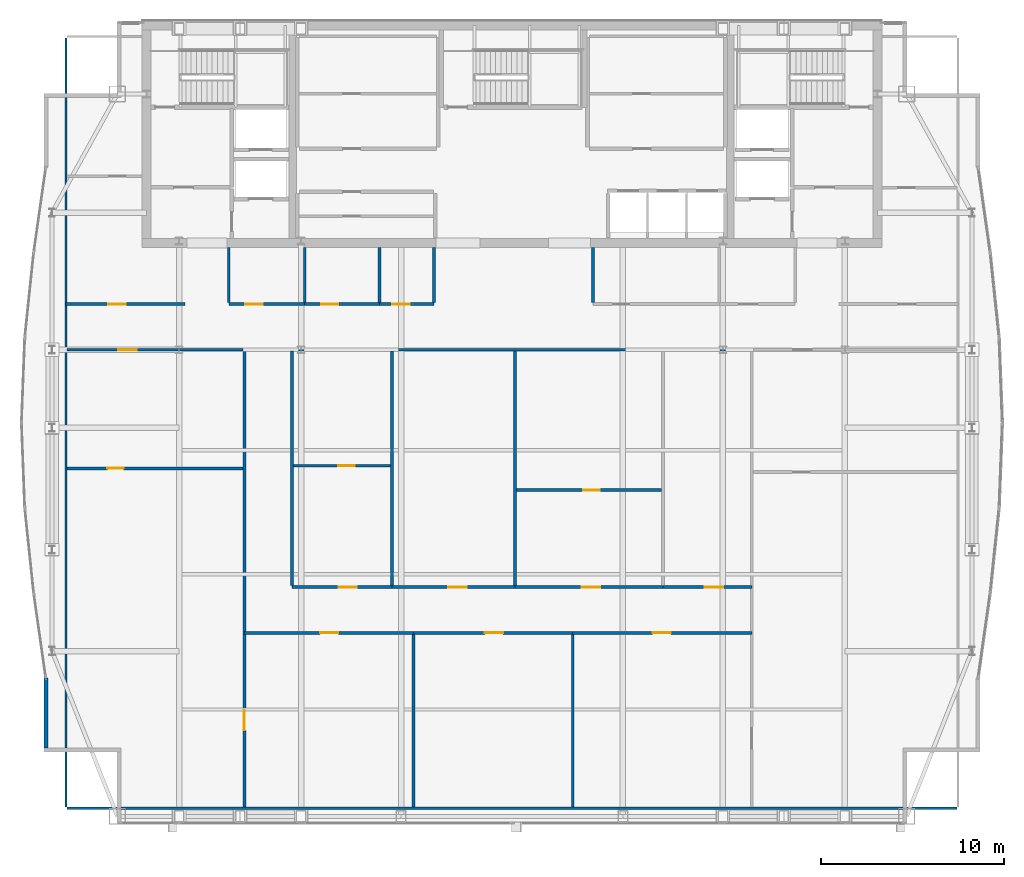
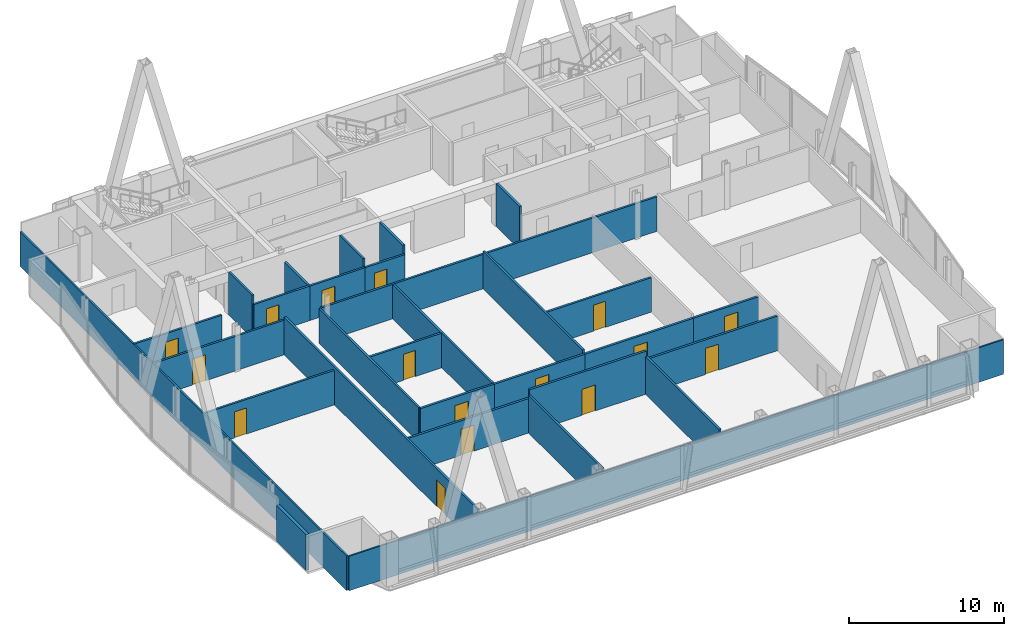
# One storey, part 24 of 29: 30 walls, 16 doors, 16 openings.
"""IFC4 building model written with IfcOpenShell, lengths in metres."""

from ifc_helpers import new_model, si_unit, direction, frame, frame_2d, origin, place, context, subcontext, project, spatial, rectangle, extrude, material, layer, layer_set, type_object, element, fill, save


model = new_model("IFC4")

# Units and contexts
model_context = context("Model", 3, precision=1e-05, world=origin(), true_north=direction((0.0, 1.0)))
body_context = subcontext(model_context, "Body", "Model", "MODEL_VIEW")
ifc_project = project(units=[si_unit("LENGTHUNIT", "METRE"), si_unit("AREAUNIT", "SQUARE_METRE"), si_unit("VOLUMEUNIT", "CUBIC_METRE"), si_unit("PLANEANGLEUNIT", "RADIAN"), si_unit("MASSUNIT", "GRAM", prefix="KILO")], contexts=[model_context])

# Site, building, storey
site_placement = place(None, origin())
site = spatial("IfcSite", under=ifc_project, at=site_placement, CompositionType="ELEMENT")
building_placement = place(site_placement, origin())
building = spatial("IfcBuilding", under=site, at=building_placement, Name="Khoronbel Lancet Exchange", CompositionType="ELEMENT")
storey_placement = place(building_placement, frame((0.0, 0.0, 302.199951171875)))
storey = spatial("IfcBuildingStorey", under=building, at=storey_placement, Name="L78", CompositionType="ELEMENT", Elevation=302.199951171875)

# Walls
ifc_material_1 = material(Name="Precast concrete C40/50", Category="concrete")
ifc_layer_1 = layer(ifc_material_1, 0.25, Name="Precast concrete C40/50")
ifc_layer_set_1 = layer_set([ifc_layer_1], Name="Precast concrete C40/50")
wall_type_1 = type_object("IfcWallType", Name="WL-EXT250", PredefinedType="SOLIDWALL", material=ifc_layer_set_1)
wall_1_placement = place(storey_placement, frame((10.93994140625, 13.89990234375, 0.0), z_axis=(0.0, 0.0, 1.0), x_axis=(0.0, 1.0, 0.0)))
element("IfcWall", 1, at=wall_1_placement, inside=storey, type_object=wall_type_1, Name="Level L78 notched-corner limestone pier 03", PredefinedType="SOLIDWALL", context=body_context, shape_type="SweptSolid", body=[
    extrude(rectangle(XDim=3.826416015625, YDim=0.219970703125, at=frame_2d((1.9130859375, 0.0))), origin(), (0.0, 0.0, 1.0), 2.820068359375),
])
ifc_material_2 = material(Name="Acoustic Metal-Stud & Mineral-Wool Gypsum Partition 120 mm", Category="gypsum")
ifc_layer_2 = layer(ifc_material_2, 0.1201171875, Name="Acoustic Metal-Stud & Mineral-Wool Gypsum Partition 120 mm")
ifc_layer_set_2 = layer_set([ifc_layer_2], Name="Acoustic Metal-Stud & Mineral-Wool Gypsum Partition 120 mm")
wall_type_2 = type_object("IfcWallType", Name="WL-PRT120", PredefinedType="PARTITIONING", material=ifc_layer_set_2)
wall_2_placement = place(storey_placement, frame((20.949951171875, 38.280029296875, 0.0), z_axis=(0.0, 0.0, 1.0), x_axis=(0.0, 1.0, 0.0)))
element("IfcWall", 2, at=wall_2_placement, inside=storey, type_object=wall_type_2, Name="Level L78 interior partition PW-WC-0", PredefinedType="PARTITIONING", context=body_context, shape_type="SweptSolid", body=[
    extrude(rectangle(XDim=3.02001953125, YDim=0.14990234375, at=frame_2d((1.510009765625, 0.0))), origin(), (0.0, 0.0, 1.0), 3.380126953125),
])
wall_3_placement = place(storey_placement, frame((25.10009765625, 38.280029296875, 0.0), z_axis=(0.0, 0.0, 1.0), x_axis=(0.0, 1.0, 0.0)))
element("IfcWall", 3, at=wall_3_placement, inside=storey, type_object=wall_type_2, Name="Level L78 interior partition PW-WC-1", PredefinedType="PARTITIONING", context=body_context, shape_type="SweptSolid", body=[
    extrude(rectangle(XDim=3.02001953125, YDim=0.14990234375, at=frame_2d((1.510009765625, 0.0))), origin(), (0.0, 0.0, 1.0), 2.719970703125),
])
for number, where, z_axis, x_axis, name in (
    (4, (29.199951171875, 38.280029296875, 0.0), (0.0, 0.0, 1.0), (0.0, 1.0, 0.0), "Level L78 interior partition PW-WC-2"),
    (5, (32.179931640625, 38.280029296875, 0.0), (0.0, 0.0, 1.0), (0.0, 1.0, 0.0), "Level L78 interior partition PW-WC-3"),
    (6, (40.8798828125, 38.280029296875, 0.0), (0.0, 0.0, 1.0), (0.0, 1.0, 0.0), "Level L78 interior partition PW-NP-0"),
):
    element("IfcWall", number, at=place(storey_placement, frame(where, z_axis=z_axis, x_axis=x_axis)), inside=storey, type_object=wall_type_2, Name=name, PredefinedType="PARTITIONING", context=body_context, shape_type="SweptSolid", body=[
        extrude(rectangle(XDim=3.02001953125, YDim=0.14990234375, at=frame_2d((1.510009765625, 0.0))), origin(), (0.0, 0.0, 1.0), 3.380126953125),
    ])

# Wall, opening, door
wall_4_placement = place(storey_placement, frame((12.094970703125, 29.199951171875, 0.0), z_axis=(0.0, 0.0, 1.0), x_axis=(1.0, 0.0, 0.0)))
wall_4 = element("IfcWall", 7, at=wall_4_placement, inside=storey, type_object=wall_type_2, Name="Level L78 interior partition PW-Z4-WH", PredefinedType="PARTITIONING", context=body_context, shape_type="SweptSolid", body=[
    extrude(rectangle(XDim=9.625, YDim=0.14990234375, at=frame_2d((4.8125, 0.0))), origin(), (0.0, 0.0, 1.0), 2.719970703125),
])
opening_1_placement = place(wall_4_placement, frame((2.199951171875, 0.0, 0.0)))
opening_1 = element("IfcOpeningElement", 8, at=opening_1_placement, cuts=wall_4, Name="Opening D5", PredefinedType="OPENING", context=body_context, shape_type="SweptSolid", body=[
    extrude(rectangle(XDim=0.89990234375, YDim=2.050048828125, at=frame_2d((0.449951171875, 1.02490234375))), frame((0.0, 0.0849609375, 0.0), z_axis=(0.0, -1.0, 0.0), x_axis=(1.0, 0.0, 0.0)), (0.0, 0.0, 1.0), 0.169921875),
])
ifc_material_3 = material(Name="Acoustic Timber Pantry & Support Door", Category="wood")
door_type_1 = type_object("IfcDoorType", Name="DR-D5", OperationType="NOTDEFINED", PredefinedType="DOOR", material=ifc_material_3)
door_1_placement = place(opening_1_placement, origin())
door_1 = element("IfcDoor", 9, at=door_1_placement, inside=storey, type_object=door_type_1, Name="West lens inner door L78-1", OperationType="SINGLE_SWING_LEFT", OverallHeight=2.050048828125, OverallWidth=0.89990234375, PredefinedType="DOOR", context=body_context, shape_type="SweptSolid", body=[
    extrude(rectangle(XDim=0.89990234375, YDim=2.050048828125, at=frame_2d((0.449951171875, 1.02490234375))), frame((0.0, 0.02490234375, 0.0), z_axis=(0.0, -1.0, 0.0), x_axis=(1.0, 0.0, 0.0)), (0.0, 0.0, 1.0), 0.050048828125),
])
fill(opening_1, door_1)

wall_5_placement = place(storey_placement, frame((24.47998046875, 29.352783203125, 0.0), z_axis=(0.0, 0.0, 1.0), x_axis=(1.0, 0.0, 0.0)))
wall_5 = element("IfcWall", 10, at=wall_5_placement, inside=storey, type_object=wall_type_2, Name="Level L78 interior partition PW-Z4C-H1", PredefinedType="PARTITIONING", context=body_context, shape_type="SweptSolid", body=[
    extrude(rectangle(XDim=5.324951171875, YDim=0.14990234375, at=frame_2d((2.66259765625, 0.0))), origin(), (0.0, 0.0, 1.0), 2.719970703125),
])
opening_2_placement = place(wall_5_placement, frame((2.46826171875, 0.0, 0.0)))
opening_2 = element("IfcOpeningElement", 11, at=opening_2_placement, cuts=wall_5, Name="Opening D5", PredefinedType="OPENING", context=body_context, shape_type="SweptSolid", body=[
    extrude(rectangle(XDim=0.89990234375, YDim=2.050048828125, at=frame_2d((0.449951171875, 1.02490234375))), frame((0.0, 0.0849609375, 0.0), z_axis=(0.0, -1.0, 0.0), x_axis=(1.0, 0.0, 0.0)), (0.0, 0.0, 1.0), 0.169921875),
])
door_2_placement = place(opening_2_placement, origin())
door_2 = element("IfcDoor", 12, at=door_2_placement, inside=storey, type_object=door_type_1, Name="Z4C inner door 1 L78-1", OperationType="SINGLE_SWING_RIGHT", OverallHeight=2.050048828125, OverallWidth=0.89990234375, PredefinedType="DOOR", context=body_context, shape_type="SweptSolid", body=[
    extrude(rectangle(XDim=0.89990234375, YDim=2.050048828125, at=frame_2d((0.449951171875, 1.02490234375))), frame((0.0, 0.02490234375, 0.0), z_axis=(0.0, -1.0, 0.0), x_axis=(1.0, 0.0, 0.0)), (0.0, 0.0, 1.0), 0.050048828125),
])
fill(opening_2, door_2)

wall_6_placement = place(storey_placement, frame((36.69873046875, 28.01416015625, 0.0), z_axis=(0.0, 0.0, 1.0), x_axis=(1.0, 0.0, 0.0)))
wall_6 = element("IfcWall", 13, at=wall_6_placement, inside=storey, type_object=wall_type_2, Name="Level L78 interior partition PW-Z4C-H3", PredefinedType="PARTITIONING", context=body_context, shape_type="SweptSolid", body=[
    extrude(rectangle(XDim=7.940673828125, YDim=0.14990234375, at=frame_2d((3.97021484375, 0.0))), origin(), (0.0, 0.0, 1.0), 2.719970703125),
])
opening_3_placement = place(wall_6_placement, frame((3.6455078125, 0.0, 0.0)))
opening_3 = element("IfcOpeningElement", 14, at=opening_3_placement, cuts=wall_6, Name="Opening D5", PredefinedType="OPENING", context=body_context, shape_type="SweptSolid", body=[
    extrude(rectangle(XDim=0.89990234375, YDim=2.050048828125, at=frame_2d((0.449951171875, 1.02490234375))), frame((0.0, 0.0849609375, 0.0), z_axis=(0.0, -1.0, 0.0), x_axis=(1.0, 0.0, 0.0)), (0.0, 0.0, 1.0), 0.169921875),
])
door_3_placement = place(opening_3_placement, origin())
door_3 = element("IfcDoor", 15, at=door_3_placement, inside=storey, type_object=door_type_1, Name="Z4C inner door 3 L78-1", OperationType="SINGLE_SWING_LEFT", OverallHeight=2.050048828125, OverallWidth=0.89990234375, PredefinedType="DOOR", context=body_context, shape_type="SweptSolid", body=[
    extrude(rectangle(XDim=0.89990234375, YDim=2.050048828125, at=frame_2d((0.449951171875, 1.02490234375))), frame((0.0, 0.02490234375, 0.0), z_axis=(0.0, -1.0, 0.0), x_axis=(1.0, 0.0, 0.0)), (0.0, 0.0, 1.0), 0.050048828125),
])
fill(opening_3, door_3)

# Walls
wall_7_placement = place(storey_placement, frame((12.030029296875, 10.6650390625, 0.0), z_axis=(0.0, 0.0, 1.0), x_axis=(0.0, 1.0, 0.0)))
element("IfcWall", 16, at=wall_7_placement, inside=storey, type_object=wall_type_2, Name="Level L78 interior partition PW-LIN-W", PredefinedType="PARTITIONING", context=body_context, shape_type="SweptSolid", body=[
    extrude(rectangle(XDim=42.10986328125, YDim=0.1201171875, at=frame_2d((21.054931640625, 0.0))), origin(), (0.0, 0.0, 1.0), 2.719970703125),
])
wall_8_placement = place(storey_placement, frame((12.094970703125, 10.60009765625, 0.0), z_axis=(0.0, 0.0, 1.0), x_axis=(1.0, 0.0, 0.0)))
element("IfcWall", 17, at=wall_8_placement, inside=storey, type_object=wall_type_2, Name="Level L78 interior partition PW-LIN-S", PredefinedType="PARTITIONING", context=body_context, shape_type="SweptSolid", body=[
    extrude(rectangle(XDim=48.7099609375, YDim=0.1201171875, at=frame_2d((24.35498046875, 0.0))), origin(), (0.0, 0.0, 1.0), 2.719970703125),
])

# Wall, opening, door
ifc_material_4 = material(Name="Fire-Rated Twin-Stud Acoustic Gypsum Partition 150 mm", Category="gypsum")
ifc_layer_3 = layer(ifc_material_4, 0.14990234375, Name="Fire-Rated Twin-Stud Acoustic Gypsum Partition 150 mm")
ifc_layer_set_3 = layer_set([ifc_layer_3], Name="Fire-Rated Twin-Stud Acoustic Gypsum Partition 150 mm")
wall_type_3 = type_object("IfcWallType", Name="WL-PRT150C", PredefinedType="PARTITIONING", material=ifc_layer_set_3)
wall_9_placement = place(storey_placement, frame((20.949951171875, 38.199951171875, 0.0), z_axis=(0.0, 0.0, 1.0), x_axis=(1.0, 0.0, 0.0)))
wall_9 = element("IfcWall", 18, at=wall_9_placement, inside=storey, type_object=wall_type_3, Name="Level L78 interior partition PW-WC-S1", PredefinedType="PARTITIONING", context=body_context, shape_type="SweptSolid", body=[
    extrude(rectangle(XDim=4.150146484375, YDim=0.14990234375, at=frame_2d((2.0751953125, 0.0))), origin(), (0.0, 0.0, 1.0), 2.719970703125),
])
opening_4_placement = place(wall_9_placement, frame((0.89990234375, 0.0, 0.0)))
opening_4 = element("IfcOpeningElement", 19, at=opening_4_placement, cuts=wall_9, Name="Opening D4", PredefinedType="OPENING", context=body_context, shape_type="SweptSolid", body=[
    extrude(rectangle(XDim=0.949951171875, YDim=2.050048828125, at=frame_2d((0.47509765625, 1.02490234375))), frame((0.0, 0.0849609375, 0.0), z_axis=(0.0, -1.0, 0.0), x_axis=(1.0, 0.0, 0.0)), (0.0, 0.0, 1.0), 0.169921875),
])
ifc_material_5 = material(Name="Moisture-Resistant HPL Washroom Door", Category="wood")
door_type_2 = type_object("IfcDoorType", Name="DR-D4", OperationType="NOTDEFINED", PredefinedType="DOOR", material=ifc_material_5)
door_4_placement = place(opening_4_placement, origin())
door_4 = element("IfcDoor", 20, at=door_4_placement, inside=storey, type_object=door_type_2, Name="Male washroom door L78-1", OperationType="SINGLE_SWING_RIGHT", OverallHeight=2.050048828125, OverallWidth=0.949951171875, PredefinedType="DOOR", context=body_context, shape_type="SweptSolid", body=[
    extrude(rectangle(XDim=0.949951171875, YDim=2.050048828125, at=frame_2d((0.47509765625, 1.02490234375))), frame((0.0, 0.02490234375, 0.0), z_axis=(0.0, -1.0, 0.0), x_axis=(1.0, 0.0, 0.0)), (0.0, 0.0, 1.0), 0.050048828125),
])
fill(opening_4, door_4)

wall_10_placement = place(storey_placement, frame((25.10009765625, 38.199951171875, 0.0), z_axis=(0.0, 0.0, 1.0), x_axis=(1.0, 0.0, 0.0)))
wall_10 = element("IfcWall", 21, at=wall_10_placement, inside=storey, type_object=wall_type_3, Name="Level L78 interior partition PW-WC-S2", PredefinedType="PARTITIONING", context=body_context, shape_type="SweptSolid", body=[
    extrude(rectangle(XDim=4.099853515625, YDim=0.14990234375, at=frame_2d((2.0498046875, 0.0))), origin(), (0.0, 0.0, 1.0), 2.719970703125),
])
opening_5_placement = place(wall_10_placement, frame((0.89990234375, 0.0, 0.0)))
opening_5 = element("IfcOpeningElement", 22, at=opening_5_placement, cuts=wall_10, Name="Opening D4", PredefinedType="OPENING", context=body_context, shape_type="SweptSolid", body=[
    extrude(rectangle(XDim=0.949951171875, YDim=2.050048828125, at=frame_2d((0.47509765625, 1.02490234375))), frame((0.0, 0.0849609375, 0.0), z_axis=(0.0, -1.0, 0.0), x_axis=(1.0, 0.0, 0.0)), (0.0, 0.0, 1.0), 0.169921875),
])
door_5_placement = place(opening_5_placement, origin())
door_5 = element("IfcDoor", 23, at=door_5_placement, inside=storey, type_object=door_type_2, Name="Female washroom door L78-1", OperationType="SINGLE_SWING_LEFT", OverallHeight=2.050048828125, OverallWidth=0.949951171875, PredefinedType="DOOR", context=body_context, shape_type="SweptSolid", body=[
    extrude(rectangle(XDim=0.949951171875, YDim=2.050048828125, at=frame_2d((0.47509765625, 1.02490234375))), frame((0.0, 0.02490234375, 0.0), z_axis=(0.0, -1.0, 0.0), x_axis=(1.0, 0.0, 0.0)), (0.0, 0.0, 1.0), 0.050048828125),
])
fill(opening_5, door_5)

wall_11_placement = place(storey_placement, frame((29.199951171875, 38.199951171875, 0.0), z_axis=(0.0, 0.0, 1.0), x_axis=(1.0, 0.0, 0.0)))
wall_11 = element("IfcWall", 24, at=wall_11_placement, inside=storey, type_object=wall_type_3, Name="Level L78 interior partition PW-WC-S3", PredefinedType="PARTITIONING", context=body_context, shape_type="SweptSolid", body=[
    extrude(rectangle(XDim=2.97998046875, YDim=0.14990234375, at=frame_2d((1.489990234375, 0.0))), origin(), (0.0, 0.0, 1.0), 2.719970703125),
])
opening_6_placement = place(wall_11_placement, frame((0.699951171875, 0.0, 0.0)))
opening_6 = element("IfcOpeningElement", 25, at=opening_6_placement, cuts=wall_11, Name="Opening D4", PredefinedType="OPENING", context=body_context, shape_type="SweptSolid", body=[
    extrude(rectangle(XDim=0.949951171875, YDim=2.050048828125, at=frame_2d((0.47509765625, 1.02490234375))), frame((0.0, 0.0849609375, 0.0), z_axis=(0.0, -1.0, 0.0), x_axis=(1.0, 0.0, 0.0)), (0.0, 0.0, 1.0), 0.169921875),
])
door_6_placement = place(opening_6_placement, origin())
door_6 = element("IfcDoor", 26, at=door_6_placement, inside=storey, type_object=door_type_2, Name="Accessible WC door L78-1", OperationType="SINGLE_SWING_RIGHT", OverallHeight=2.050048828125, OverallWidth=0.949951171875, PredefinedType="DOOR", context=body_context, shape_type="SweptSolid", body=[
    extrude(rectangle(XDim=0.949951171875, YDim=2.050048828125, at=frame_2d((0.47509765625, 1.02490234375))), frame((0.0, 0.02490234375, 0.0), z_axis=(0.0, -1.0, 0.0), x_axis=(1.0, 0.0, 0.0)), (0.0, 0.0, 1.0), 0.050048828125),
])
fill(opening_6, door_6)

wall_12_placement = place(storey_placement, frame((12.030029296875, 38.199951171875, 0.0), z_axis=(0.0, 0.0, 1.0), x_axis=(1.0, 0.0, 0.0)))
wall_12 = element("IfcWall", 27, at=wall_12_placement, inside=storey, type_object=wall_type_3, Name="Level L78 interior partition PW-NW-S", PredefinedType="PARTITIONING", context=body_context, shape_type="SweptSolid", body=[
    extrude(rectangle(XDim=6.52001953125, YDim=0.14990234375, at=frame_2d((3.260009765625, 0.0))), origin(), (0.0, 0.0, 1.0), 2.719970703125),
])
opening_7_placement = place(wall_12_placement, frame((2.320068359375, 0.0, 0.0)))
opening_7 = element("IfcOpeningElement", 28, at=opening_7_placement, cuts=wall_12, Name="Opening D1", PredefinedType="OPENING", context=body_context, shape_type="SweptSolid", body=[
    extrude(rectangle(XDim=0.949951171875, YDim=2.050048828125, at=frame_2d((0.47509765625, 1.02490234375))), frame((0.0, 0.0849609375, 0.0), z_axis=(0.0, -1.0, 0.0), x_axis=(1.0, 0.0, 0.0)), (0.0, 0.0, 1.0), 0.169921875),
])
ifc_material_6 = material(Name="Acoustic Veneered Timber & Bronze Frame Door", Category="wood")
door_type_3 = type_object("IfcDoorType", Name="DR-D1", OperationType="NOTDEFINED", PredefinedType="DOOR", material=ifc_material_6)
door_7_placement = place(opening_7_placement, origin())
door_7 = element("IfcDoor", 29, at=door_7_placement, inside=storey, type_object=door_type_3, Name="NW corner room door L78-1", OperationType="SINGLE_SWING_LEFT", OverallHeight=2.050048828125, OverallWidth=0.949951171875, PredefinedType="DOOR", context=body_context, shape_type="SweptSolid", body=[
    extrude(rectangle(XDim=0.949951171875, YDim=2.050048828125, at=frame_2d((0.47509765625, 1.02490234375))), frame((0.0, 0.02490234375, 0.0), z_axis=(0.0, -1.0, 0.0), x_axis=(1.0, 0.0, 0.0)), (0.0, 0.0, 1.0), 0.050048828125),
])
fill(opening_7, door_7)

wall_13_placement = place(storey_placement, frame((21.800048828125, 10.6650390625, 0.0), z_axis=(0.0, 0.0, 1.0), x_axis=(0.0, 1.0, 0.0)))
wall_13 = element("IfcWall", 30, at=wall_13_placement, inside=storey, type_object=wall_type_3, Name="Level L78 interior partition PW-Z4-WW", PredefinedType="PARTITIONING", context=body_context, shape_type="SweptSolid", body=[
    extrude(rectangle(XDim=24.955078125, YDim=0.14990234375, at=frame_2d((12.4775390625, 0.0))), origin(), (0.0, 0.0, 1.0), 2.969970703125),
])
opening_8_placement = place(wall_13_placement, frame((4.199951171875, 0.0, 0.0)))
opening_8 = element("IfcOpeningElement", 31, at=opening_8_placement, cuts=wall_13, Name="Opening D6", PredefinedType="OPENING", context=body_context, shape_type="SweptSolid", body=[
    extrude(rectangle(XDim=1.10009765625, YDim=2.10009765625, at=frame_2d((0.550048828125, 1.050048828125))), frame((0.0, 0.0849609375, 0.0), z_axis=(0.0, -1.0, 0.0), x_axis=(1.0, 0.0, 0.0)), (0.0, 0.0, 1.0), 0.169921875),
])
ifc_material_7 = material(Name="Acoustic Bronze-Veneer Executive Suite Door", Category="wood")
door_type_4 = type_object("IfcDoorType", Name="DR-D6", OperationType="NOTDEFINED", PredefinedType="DOOR", material=ifc_material_7)
door_8_placement = place(opening_8_placement, origin())
door_8 = element("IfcDoor", 32, at=door_8_placement, inside=storey, type_object=door_type_4, Name="West lens presidential door L78-1", OperationType="SINGLE_SWING_LEFT", OverallHeight=2.10009765625, OverallWidth=1.10009765625, PredefinedType="DOOR", context=body_context, shape_type="SweptSolid", body=[
    extrude(rectangle(XDim=1.10009765625, YDim=2.10009765625, at=frame_2d((0.550048828125, 1.050048828125))), frame((0.0, 0.02490234375, 0.0), z_axis=(0.0, -1.0, 0.0), x_axis=(1.0, 0.0, 0.0)), (0.0, 0.0, 1.0), 0.050048828125),
])
fill(opening_8, door_8)

wall_14_placement = place(storey_placement, frame((12.094970703125, 35.699951171875, 0.0), z_axis=(0.0, 0.0, 1.0), x_axis=(1.0, 0.0, 0.0)))
wall_14 = element("IfcWall", 33, at=wall_14_placement, inside=storey, type_object=wall_type_3, Name="Level L78 interior partition PW-Z4-WN", PredefinedType="PARTITIONING", context=body_context, shape_type="SweptSolid", body=[
    extrude(rectangle(XDim=9.625, YDim=0.14990234375, at=frame_2d((4.8125, 0.0))), origin(), (0.0, 0.0, 1.0), 2.719970703125),
])
opening_9_placement = place(wall_14_placement, frame((2.800048828125, 0.0, 0.0)))
opening_9 = element("IfcOpeningElement", 34, at=opening_9_placement, cuts=wall_14, Name="Opening D2", PredefinedType="OPENING", context=body_context, shape_type="SweptSolid", body=[
    extrude(rectangle(XDim=1.0, YDim=2.050048828125, at=frame_2d((0.5, 1.02490234375))), frame((0.0, 0.0849609375, 0.0), z_axis=(0.0, -1.0, 0.0), x_axis=(1.0, 0.0, 0.0)), (0.0, 0.0, 1.0), 0.169921875),
])
door_type_5 = type_object("IfcDoorType", Name="DR-D2", OperationType="NOTDEFINED", PredefinedType="DOOR", material=ifc_material_6)
door_9_placement = place(opening_9_placement, origin())
door_9 = element("IfcDoor", 35, at=door_9_placement, inside=storey, type_object=door_type_5, Name="West lens north door L78-1", OperationType="SINGLE_SWING_RIGHT", OverallHeight=2.050048828125, OverallWidth=1.0, PredefinedType="DOOR", context=body_context, shape_type="SweptSolid", body=[
    extrude(rectangle(XDim=1.0, YDim=2.050048828125, at=frame_2d((0.5, 1.02490234375))), frame((0.0, 0.02490234375, 0.0), z_axis=(0.0, -1.0, 0.0), x_axis=(1.0, 0.0, 0.0)), (0.0, 0.0, 1.0), 0.050048828125),
])
fill(opening_9, door_9)

# Walls
wall_15_placement = place(storey_placement, frame((24.39990234375, 22.784912109375, 0.0), z_axis=(0.0, 0.0, 1.0), x_axis=(0.0, 1.0, 0.0)))
element("IfcWall", 36, at=wall_15_placement, inside=storey, type_object=wall_type_3, Name="Level L78 interior partition PW-Z4-WE", PredefinedType="PARTITIONING", context=body_context, shape_type="SweptSolid", body=[
    extrude(rectangle(XDim=12.835205078125, YDim=0.14990234375, at=frame_2d((6.41748046875, 0.0))), origin(), (0.0, 0.0, 1.0), 2.719970703125),
])
wall_16_placement = place(storey_placement, frame((24.47998046875, 35.699951171875, 0.0), z_axis=(0.0, 0.0, 1.0), x_axis=(1.0, 0.0, 0.0)))
element("IfcWall", 37, at=wall_16_placement, inside=storey, type_object=wall_type_3, Name="Level L78 interior partition PW-Z4-EN1", PredefinedType="PARTITIONING", context=body_context, shape_type="SweptSolid", body=[
    extrude(rectangle(XDim=25.02001953125, YDim=0.14990234375, at=frame_2d((12.510009765625, 0.0))), origin(), (0.0, 0.0, 1.0), 2.719970703125),
])
wall_17_placement = place(storey_placement, frame((29.885009765625, 22.784912109375, 0.0), z_axis=(0.0, 0.0, 1.0), x_axis=(0.0, 1.0, 0.0)))
element("IfcWall", 38, at=wall_17_placement, inside=storey, type_object=wall_type_3, Name="Level L78 interior partition PW-Z4C-V1", PredefinedType="PARTITIONING", context=body_context, shape_type="SweptSolid", body=[
    extrude(rectangle(XDim=12.835205078125, YDim=0.14990234375, at=frame_2d((6.41748046875, 0.0))), origin(), (0.0, 0.0, 1.0), 2.719970703125),
])
wall_18_placement = place(storey_placement, frame((36.61865234375, 22.784912109375, 0.0), z_axis=(0.0, 0.0, 1.0), x_axis=(0.0, 1.0, 0.0)))
element("IfcWall", 39, at=wall_18_placement, inside=storey, type_object=wall_type_3, Name="Level L78 interior partition PW-Z4C-V2", PredefinedType="PARTITIONING", context=body_context, shape_type="SweptSolid", body=[
    extrude(rectangle(XDim=12.835205078125, YDim=0.14990234375, at=frame_2d((6.41748046875, 0.0))), origin(), (0.0, 0.0, 1.0), 2.969970703125),
])
for number, where, z_axis, x_axis, name in (
    (40, (31.06005859375, 10.6650390625, 0.0), (0.0, 0.0, 1.0), (0.0, 1.0, 0.0), "Level L78 interior partition PW-Z4S-V1"),
    (41, (39.775390625, 10.6650390625, 0.0), (0.0, 0.0, 1.0), (0.0, 1.0, 0.0), "Level L78 interior partition PW-Z4S-V2"),
):
    element("IfcWall", number, at=place(storey_placement, frame(where, z_axis=z_axis, x_axis=x_axis)), inside=storey, type_object=wall_type_3, Name=name, PredefinedType="PARTITIONING", context=body_context, shape_type="SweptSolid", body=[
        extrude(rectangle(XDim=9.449951171875, YDim=0.14990234375, at=frame_2d((4.72509765625, 0.0))), origin(), (0.0, 0.0, 1.0), 2.969970703125),
    ])

# Wall, opening, door
ifc_material_8 = material(Name="Fire-Rated Twin-Stud Acoustic Gypsum Partition 160 mm", Category="gypsum")
ifc_layer_4 = layer(ifc_material_8, 0.159912109375, Name="Fire-Rated Twin-Stud Acoustic Gypsum Partition 160 mm")
ifc_layer_set_4 = layer_set([ifc_layer_4], Name="Fire-Rated Twin-Stud Acoustic Gypsum Partition 160 mm")
wall_type_4 = type_object("IfcWallType", Name="WL-PRT160C", PredefinedType="PARTITIONING", material=ifc_layer_set_4)
wall_19_placement = place(storey_placement, frame((24.39990234375, 22.699951171875, 0.0), z_axis=(0.0, 0.0, 1.0), x_axis=(1.0, 0.0, 0.0)))
wall_19 = element("IfcWall", 42, at=wall_19_placement, inside=storey, type_object=wall_type_4, Name="Level L78 interior partition PW-Z4C-COR1", PredefinedType="PARTITIONING", context=body_context, shape_type="SweptSolid", body=[
    extrude(rectangle(XDim=5.485107421875, YDim=0.159912109375, at=frame_2d((2.74267578125, 0.0))), origin(), (0.0, 0.0, 1.0), 2.719970703125),
])
opening_10_placement = place(wall_19_placement, frame((2.5537109375, 0.0, 0.0)))
opening_10 = element("IfcOpeningElement", 43, at=opening_10_placement, cuts=wall_19, Name="Opening D2", PredefinedType="OPENING", context=body_context, shape_type="SweptSolid", body=[
    extrude(rectangle(XDim=1.0, YDim=2.050048828125, at=frame_2d((0.5, 1.02490234375))), frame((0.0, 0.08984375, 0.0), z_axis=(0.0, -1.0, 0.0), x_axis=(1.0, 0.0, 0.0)), (0.0, 0.0, 1.0), 0.179931640625),
])
door_10_placement = place(opening_10_placement, origin())
door_10 = element("IfcDoor", 44, at=door_10_placement, inside=storey, type_object=door_type_5, Name="Z4C bay 1 door L78-1", OperationType="SINGLE_SWING_LEFT", OverallHeight=2.050048828125, OverallWidth=1.0, PredefinedType="DOOR", context=body_context, shape_type="SweptSolid", body=[
    extrude(rectangle(XDim=1.0, YDim=2.050048828125, at=frame_2d((0.5, 1.02490234375))), frame((0.0, 0.02490234375, 0.0), z_axis=(0.0, -1.0, 0.0), x_axis=(1.0, 0.0, 0.0)), (0.0, 0.0, 1.0), 0.050048828125),
])
fill(opening_10, door_10)

wall_20_placement = place(storey_placement, frame((29.885009765625, 22.699951171875, 0.0), z_axis=(0.0, 0.0, 1.0), x_axis=(1.0, 0.0, 0.0)))
wall_20 = element("IfcWall", 45, at=wall_20_placement, inside=storey, type_object=wall_type_4, Name="Level L78 interior partition PW-Z4C-COR2", PredefinedType="PARTITIONING", context=body_context, shape_type="SweptSolid", body=[
    extrude(rectangle(XDim=6.733642578125, YDim=0.159912109375, at=frame_2d((3.36669921875, 0.0))), origin(), (0.0, 0.0, 1.0), 2.719970703125),
])
opening_11_placement = place(wall_20_placement, frame((3.078125, 0.0, 0.0)))
opening_11 = element("IfcOpeningElement", 46, at=opening_11_placement, cuts=wall_20, Name="Opening D2", PredefinedType="OPENING", context=body_context, shape_type="SweptSolid", body=[
    extrude(rectangle(XDim=1.0, YDim=2.050048828125, at=frame_2d((0.5, 1.02490234375))), frame((0.0, 0.08984375, 0.0), z_axis=(0.0, -1.0, 0.0), x_axis=(1.0, 0.0, 0.0)), (0.0, 0.0, 1.0), 0.179931640625),
])
door_11_placement = place(opening_11_placement, origin())
door_11 = element("IfcDoor", 47, at=door_11_placement, inside=storey, type_object=door_type_5, Name="Z4C bay 2 door L78-1", OperationType="SINGLE_SWING_LEFT", OverallHeight=2.050048828125, OverallWidth=1.0, PredefinedType="DOOR", context=body_context, shape_type="SweptSolid", body=[
    extrude(rectangle(XDim=1.0, YDim=2.050048828125, at=frame_2d((0.5, 1.02490234375))), frame((0.0, 0.02490234375, 0.0), z_axis=(0.0, -1.0, 0.0), x_axis=(1.0, 0.0, 0.0)), (0.0, 0.0, 1.0), 0.050048828125),
])
fill(opening_11, door_11)

wall_21_placement = place(storey_placement, frame((36.61865234375, 22.699951171875, 0.0), z_axis=(0.0, 0.0, 1.0), x_axis=(1.0, 0.0, 0.0)))
wall_21 = element("IfcWall", 48, at=wall_21_placement, inside=storey, type_object=wall_type_4, Name="Level L78 interior partition PW-Z4C-COR3", PredefinedType="PARTITIONING", context=body_context, shape_type="SweptSolid", body=[
    extrude(rectangle(XDim=8.100830078125, YDim=0.159912109375, at=frame_2d((4.05029296875, 0.0))), origin(), (0.0, 0.0, 1.0), 2.719970703125),
])
opening_12_placement = place(wall_21_placement, frame((3.65234375, 0.0, 0.0)))
opening_12 = element("IfcOpeningElement", 49, at=opening_12_placement, cuts=wall_21, Name="Opening D2", PredefinedType="OPENING", context=body_context, shape_type="SweptSolid", body=[
    extrude(rectangle(XDim=1.0, YDim=2.050048828125, at=frame_2d((0.5, 1.02490234375))), frame((0.0, 0.08984375, 0.0), z_axis=(0.0, -1.0, 0.0), x_axis=(1.0, 0.0, 0.0)), (0.0, 0.0, 1.0), 0.179931640625),
])
door_12_placement = place(opening_12_placement, origin())
door_12 = element("IfcDoor", 50, at=door_12_placement, inside=storey, type_object=door_type_5, Name="Z4C bay 3 door L78-1", OperationType="SINGLE_SWING_RIGHT", OverallHeight=2.050048828125, OverallWidth=1.0, PredefinedType="DOOR", context=body_context, shape_type="SweptSolid", body=[
    extrude(rectangle(XDim=1.0, YDim=2.050048828125, at=frame_2d((0.5, 1.02490234375))), frame((0.0, 0.02490234375, 0.0), z_axis=(0.0, -1.0, 0.0), x_axis=(1.0, 0.0, 0.0)), (0.0, 0.0, 1.0), 0.050048828125),
])
fill(opening_12, door_12)

wall_22_placement = place(storey_placement, frame((44.719482421875, 22.699951171875, 0.0), z_axis=(0.0, 0.0, 1.0), x_axis=(1.0, 0.0, 0.0)))
wall_22 = element("IfcWall", 51, at=wall_22_placement, inside=storey, type_object=wall_type_4, Name="Level L78 interior partition PW-Z4C-COR4", PredefinedType="PARTITIONING", context=body_context, shape_type="SweptSolid", body=[
    extrude(rectangle(XDim=4.860595703125, YDim=0.159912109375, at=frame_2d((2.43017578125, 0.0))), origin(), (0.0, 0.0, 1.0), 2.719970703125),
])
opening_13_placement = place(wall_22_placement, frame((2.29150390625, 0.0, 0.0)))
opening_13 = element("IfcOpeningElement", 52, at=opening_13_placement, cuts=wall_22, Name="Opening D2", PredefinedType="OPENING", context=body_context, shape_type="SweptSolid", body=[
    extrude(rectangle(XDim=1.0, YDim=2.050048828125, at=frame_2d((0.5, 1.02490234375))), frame((0.0, 0.08984375, 0.0), z_axis=(0.0, -1.0, 0.0), x_axis=(1.0, 0.0, 0.0)), (0.0, 0.0, 1.0), 0.179931640625),
])
door_13_placement = place(opening_13_placement, origin())
door_13 = element("IfcDoor", 53, at=door_13_placement, inside=storey, type_object=door_type_5, Name="Z4C bay 4 door L78-1", OperationType="SINGLE_SWING_RIGHT", OverallHeight=2.050048828125, OverallWidth=1.0, PredefinedType="DOOR", context=body_context, shape_type="SweptSolid", body=[
    extrude(rectangle(XDim=1.0, YDim=2.050048828125, at=frame_2d((0.5, 1.02490234375))), frame((0.0, 0.02490234375, 0.0), z_axis=(0.0, -1.0, 0.0), x_axis=(1.0, 0.0, 0.0)), (0.0, 0.0, 1.0), 0.050048828125),
])
fill(opening_13, door_13)

wall_23_placement = place(storey_placement, frame((21.800048828125, 20.199951171875, 0.0), z_axis=(0.0, 0.0, 1.0), x_axis=(1.0, 0.0, 0.0)))
wall_23 = element("IfcWall", 54, at=wall_23_placement, inside=storey, type_object=wall_type_4, Name="Level L78 interior partition PW-Z4S-COR1", PredefinedType="PARTITIONING", context=body_context, shape_type="SweptSolid", body=[
    extrude(rectangle(XDim=9.260009765625, YDim=0.159912109375, at=frame_2d((4.6298828125, 0.0))), origin(), (0.0, 0.0, 1.0), 2.719970703125),
])
opening_14_placement = place(wall_23_placement, frame((4.13916015625, 0.0, 0.0)))
opening_14 = element("IfcOpeningElement", 55, at=opening_14_placement, cuts=wall_23, Name="Opening D2", PredefinedType="OPENING", context=body_context, shape_type="SweptSolid", body=[
    extrude(rectangle(XDim=1.0, YDim=2.050048828125, at=frame_2d((0.5, 1.02490234375))), frame((0.0, 0.08984375, 0.0), z_axis=(0.0, -1.0, 0.0), x_axis=(1.0, 0.0, 0.0)), (0.0, 0.0, 1.0), 0.179931640625),
])
door_14_placement = place(opening_14_placement, origin())
door_14 = element("IfcDoor", 56, at=door_14_placement, inside=storey, type_object=door_type_5, Name="Z4S bay 1 door L78-1", OperationType="SINGLE_SWING_LEFT", OverallHeight=2.050048828125, OverallWidth=1.0, PredefinedType="DOOR", context=body_context, shape_type="SweptSolid", body=[
    extrude(rectangle(XDim=1.0, YDim=2.050048828125, at=frame_2d((0.5, 1.02490234375))), frame((0.0, 0.02490234375, 0.0), z_axis=(0.0, -1.0, 0.0), x_axis=(1.0, 0.0, 0.0)), (0.0, 0.0, 1.0), 0.050048828125),
])
fill(opening_14, door_14)

wall_24_placement = place(storey_placement, frame((31.06005859375, 20.199951171875, 0.0), z_axis=(0.0, 0.0, 1.0), x_axis=(1.0, 0.0, 0.0)))
wall_24 = element("IfcWall", 57, at=wall_24_placement, inside=storey, type_object=wall_type_4, Name="Level L78 interior partition PW-Z4S-COR2", PredefinedType="PARTITIONING", context=body_context, shape_type="SweptSolid", body=[
    extrude(rectangle(XDim=8.71533203125, YDim=0.159912109375, at=frame_2d((4.357666015625, 0.0))), origin(), (0.0, 0.0, 1.0), 3.380126953125),
])
opening_15_placement = place(wall_24_placement, frame((3.910400390625, 0.0, 0.0)))
opening_15 = element("IfcOpeningElement", 58, at=opening_15_placement, cuts=wall_24, Name="Opening D2", PredefinedType="OPENING", context=body_context, shape_type="SweptSolid", body=[
    extrude(rectangle(XDim=1.0, YDim=2.050048828125, at=frame_2d((0.5, 1.02490234375))), frame((0.0, 0.08984375, 0.0), z_axis=(0.0, -1.0, 0.0), x_axis=(1.0, 0.0, 0.0)), (0.0, 0.0, 1.0), 0.179931640625),
])
door_15_placement = place(opening_15_placement, origin())
door_15 = element("IfcDoor", 59, at=door_15_placement, inside=storey, type_object=door_type_5, Name="Z4S bay 2 door L78-1", OperationType="SINGLE_SWING_RIGHT", OverallHeight=2.050048828125, OverallWidth=1.0, PredefinedType="DOOR", context=body_context, shape_type="SweptSolid", body=[
    extrude(rectangle(XDim=1.0, YDim=2.050048828125, at=frame_2d((0.5, 1.02490234375))), frame((0.0, 0.02490234375, 0.0), z_axis=(0.0, -1.0, 0.0), x_axis=(1.0, 0.0, 0.0)), (0.0, 0.0, 1.0), 0.050048828125),
])
fill(opening_15, door_15)

wall_25_placement = place(storey_placement, frame((39.775390625, 20.199951171875, 0.0), z_axis=(0.0, 0.0, 1.0), x_axis=(1.0, 0.0, 0.0)))
wall_25 = element("IfcWall", 60, at=wall_25_placement, inside=storey, type_object=wall_type_4, Name="Level L78 interior partition PW-Z4S-COR3", PredefinedType="PARTITIONING", context=body_context, shape_type="SweptSolid", body=[
    extrude(rectangle(XDim=9.8046875, YDim=0.159912109375, at=frame_2d((4.90234375, 0.0))), origin(), (0.0, 0.0, 1.0), 2.719970703125),
])
opening_16_placement = place(wall_25_placement, frame((4.367919921875, 0.0, 0.0)))
opening_16 = element("IfcOpeningElement", 61, at=opening_16_placement, cuts=wall_25, Name="Opening D2", PredefinedType="OPENING", context=body_context, shape_type="SweptSolid", body=[
    extrude(rectangle(XDim=1.0, YDim=2.050048828125, at=frame_2d((0.5, 1.02490234375))), frame((0.0, 0.08984375, 0.0), z_axis=(0.0, -1.0, 0.0), x_axis=(1.0, 0.0, 0.0)), (0.0, 0.0, 1.0), 0.179931640625),
])
door_16_placement = place(opening_16_placement, origin())
door_16 = element("IfcDoor", 62, at=door_16_placement, inside=storey, type_object=door_type_5, Name="Z4S bay 3 door L78-1", OperationType="SINGLE_SWING_LEFT", OverallHeight=2.050048828125, OverallWidth=1.0, PredefinedType="DOOR", context=body_context, shape_type="SweptSolid", body=[
    extrude(rectangle(XDim=1.0, YDim=2.050048828125, at=frame_2d((0.5, 1.02490234375))), frame((0.0, 0.02490234375, 0.0), z_axis=(0.0, -1.0, 0.0), x_axis=(1.0, 0.0, 0.0)), (0.0, 0.0, 1.0), 0.050048828125),
])
fill(opening_16, door_16)

save(model, "model.ifc")
